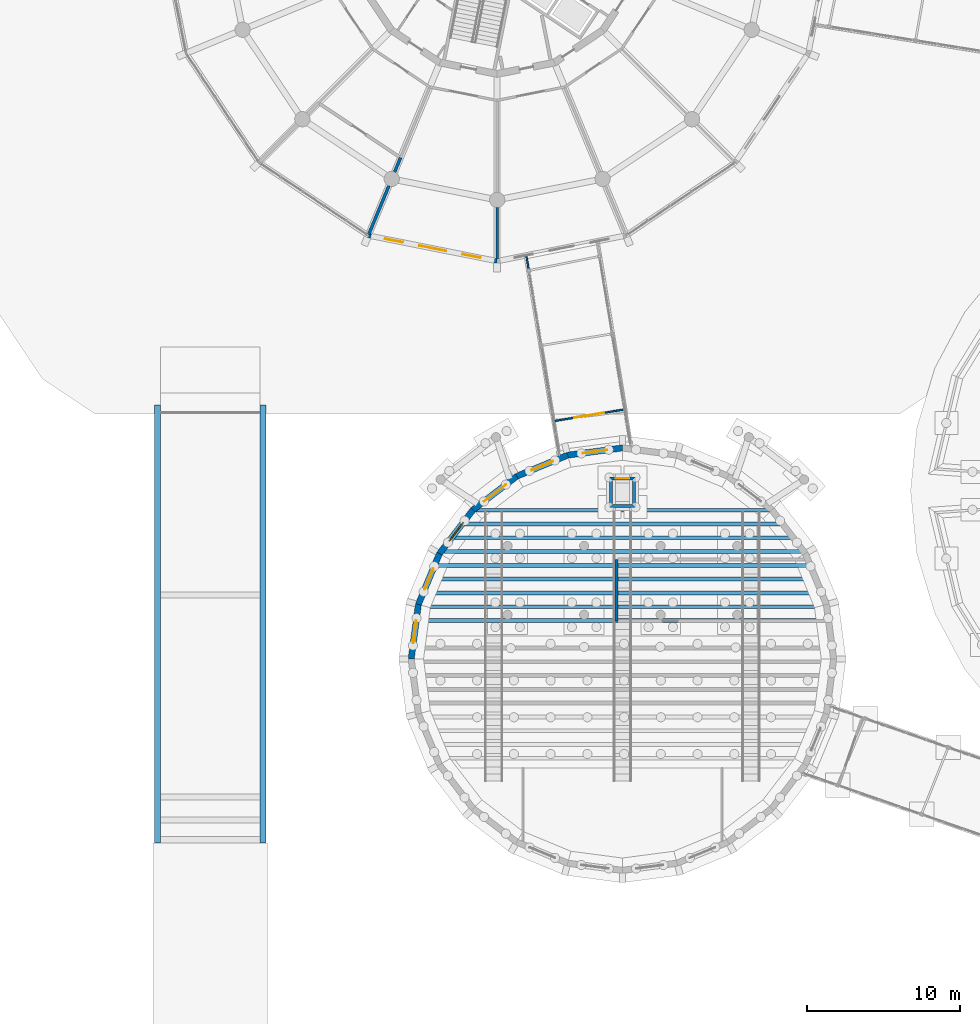
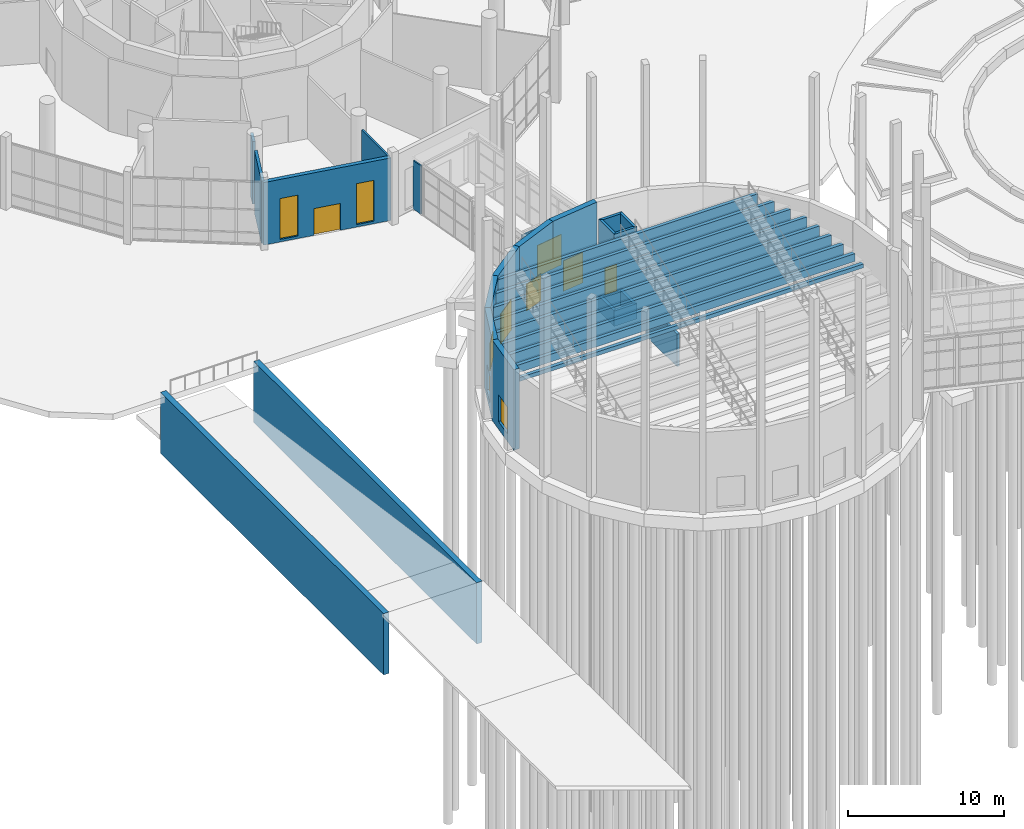
# One storey, part 161 of 226: 32 walls, 6 windows, 5 doors, 11 openings.
"""IFC4 building model written with IfcOpenShell, lengths in metres."""

from ifc_helpers import new_model, si_unit, direction, frame, frame_2d, origin, place, context, subcontext, project, spatial, polyline, rectangle, outline, extrude, material, layer, layer_set, type_object, element, fill, save


model = new_model("IFC4")

# Units and contexts
model_context = context("Model", 3, precision=1e-05, world=origin(), true_north=direction((0.0, 1.0)))
body_context = subcontext(model_context, "Body", "Model", "MODEL_VIEW")
ifc_project = project(units=[si_unit("LENGTHUNIT", "METRE"), si_unit("AREAUNIT", "SQUARE_METRE"), si_unit("VOLUMEUNIT", "CUBIC_METRE"), si_unit("PLANEANGLEUNIT", "RADIAN"), si_unit("MASSUNIT", "GRAM", prefix="KILO")], contexts=[model_context])

# Site, building, storey
site_placement = place(None, origin())
site = spatial("IfcSite", under=ifc_project, at=site_placement, CompositionType="ELEMENT")
building_placement = place(site_placement, origin())
building = spatial("IfcBuilding", under=site, at=building_placement, Name="Ceibo Conservatory and Research Tower", CompositionType="ELEMENT")
storey_placement = place(building_placement, origin())
storey = spatial("IfcBuildingStorey", under=building, at=storey_placement, Name="L00", CompositionType="ELEMENT", Elevation=0.0)

# Wall, opening, door
ifc_material_1 = material(Name="Aluminium and glass", Category="aluminium")
ifc_layer_1 = layer(ifc_material_1, 0.10009765625)
ifc_layer_set_1 = layer_set([ifc_layer_1], Name="Aluminium and glass")
wall_type_1 = type_object("IfcWallType", Name="Airlock screen wall 100", PredefinedType="PARTITIONING", material=ifc_layer_set_1)
wall_1_placement = place(storey_placement, frame((56.279296875, 88.306640625, 0.0), z_axis=(0.0, 0.0, 1.0), x_axis=(-0.986645220753, -0.162884033485, 0.0)))
wall_1 = element("IfcWall", 1, at=wall_1_placement, inside=storey, type_object=wall_type_1, Name="Airlock screen RT-AUD-AS1", PredefinedType="PARTITIONING", context=body_context, shape_type="SweptSolid", body=[
    extrude(rectangle(XDim=4.60009765625, YDim=0.10009765625, at=frame_2d((2.300048828125, 0.0))), origin(), (0.0, 0.0, 1.0), 3.800048828125),
])
opening_1_placement = place(wall_1_placement, frame((1.300048828125, 0.0, 0.0)))
opening_1 = element("IfcOpeningElement", 2, at=opening_1_placement, cuts=wall_1, Name="Opening RT-AUD-AD1", PredefinedType="OPENING", context=body_context, shape_type="SweptSolid", body=[
    extrude(rectangle(XDim=2.0, YDim=2.39990234375, at=frame_2d((1.0, 1.199951171875))), frame((0.0, 0.06005859375, 0.0), z_axis=(0.0, -1.0, 0.0), x_axis=(1.0, 0.0, 0.0)), (0.0, 0.0, 1.0), 0.1201171875),
])
door_type_1 = type_object("IfcDoorType", Name="Gallery sliding door 2000x2400", OperationType="DOUBLE_DOOR_SLIDING", PredefinedType="DOOR", material=ifc_material_1)
door_1_placement = place(opening_1_placement, origin())
door_1 = element("IfcDoor", 3, at=door_1_placement, inside=storey, type_object=door_type_1, Name="Gallery airlock door RT-AUD-AD1", OperationType="DOUBLE_DOOR_SLIDING", OverallHeight=2.39990234375, OverallWidth=2.0, PredefinedType="DOOR", context=body_context, shape_type="SweptSolid", body=[
    extrude(rectangle(XDim=2.0, YDim=2.39990234375, at=frame_2d((1.0, 1.199951171875))), frame((0.0, 0.02490234375, 0.0), z_axis=(0.0, -1.0, 0.0), x_axis=(1.0, 0.0, 0.0)), (0.0, 0.0, 1.0), 0.050048828125),
])
fill(opening_1, door_1)

# Walls
ifc_material_2 = material(Name="Masonry blockwork", Category="masonry")
ifc_layer_2 = layer(ifc_material_2, 0.199951171875)
ifc_layer_set_2 = layer_set([ifc_layer_2], Name="Masonry blockwork")
wall_type_2 = type_object("IfcWallType", Name="Compartment wall 200 EI 120", PredefinedType="SOLIDWALL", material=ifc_layer_set_2)
wall_2_placement = place(storey_placement, frame((40.924072265625, 102.91748046875, 0.0), z_axis=(0.0, 0.0, 1.0), x_axis=(-0.382654004196, -0.923891721509, 0.0)))
element("IfcWall", 4, at=wall_2_placement, inside=storey, type_object=wall_type_2, Name="Partition 00.037", PredefinedType="SOLIDWALL", context=body_context, shape_type="SweptSolid", body=[
    extrude(rectangle(XDim=3.448486328125, YDim=0.199951171875, at=frame_2d((1.72412109375, 0.0))), origin(), (0.0, 0.0, 1.0), 4.89990234375),
])
wall_3_placement = place(storey_placement, frame((41.685791015625, 104.756103515625, 0.0), z_axis=(0.0, 0.0, 1.0), x_axis=(-0.382572356754, -0.923925533714, 0.0)))
element("IfcWall", 5, at=wall_3_placement, inside=storey, type_object=wall_type_2, Name="Partition 00.038", PredefinedType="SOLIDWALL", context=body_context, shape_type="SweptSolid", body=[
    extrude(rectangle(XDim=1.01025390625, YDim=0.199951171875, at=frame_2d((0.505126953125, 0.0))), origin(), (0.0, 0.0, 1.0), 4.89990234375),
])
wall_4_placement = place(storey_placement, frame((55.800048828125, 74.5, 0.0), z_axis=(0.0, 0.0, 1.0), x_axis=(0.0, 1.0, 0.0)))
element("IfcWall", 6, at=wall_4_placement, inside=storey, type_object=wall_type_2, Name="Plant room wall A03", PredefinedType="SOLIDWALL", context=body_context, shape_type="SweptSolid", body=[
    extrude(rectangle(XDim=4.0, YDim=0.199951171875, at=frame_2d((2.0, 0.0))), origin(), (0.0, 0.0, 1.0), 2.550048828125),
])
ifc_material_3 = material(Name="Plasterboard on metal studs, fire board")
ifc_layer_3 = layer(ifc_material_3, 0.14990234375)
ifc_layer_set_3 = layer_set([ifc_layer_3], Name="Plasterboard on metal studs, fire board")
wall_type_3 = type_object("IfcWallType", Name="Corridor wall 150 EI 60", PredefinedType="PARTITIONING", material=ifc_layer_set_3)
wall_5_placement = place(storey_placement, frame((48.0, 101.510009765625, 0.0), z_axis=(0.0, 0.0, 1.0), x_axis=(0.0, -1.0, 0.0)))
element("IfcWall", 7, at=wall_5_placement, inside=storey, type_object=wall_type_3, Name="Partition 00.039", PredefinedType="PARTITIONING", context=body_context, shape_type="SweptSolid", body=[
    extrude(rectangle(XDim=3.377197265625, YDim=0.14990234375, at=frame_2d((1.6884765625, 0.0))), origin(), (0.0, 0.0, 1.0), 4.89990234375),
])
ifc_layer_4 = layer(ifc_material_1, 0.10009765625)
ifc_layer_set_4 = layer_set([ifc_layer_4], Name="Aluminium and glass")
wall_type_4 = type_object("IfcWallType", Name="Gallery end infill wall 100", PredefinedType="PARTITIONING", material=ifc_layer_set_4)
wall_6_placement = place(storey_placement, frame((49.919677734375, 98.280029296875, 0.0), z_axis=(0.0, 0.0, 1.0), x_axis=(0.163059369281, -0.98661625878, 0.0)))
element("IfcWall", 8, at=wall_6_placement, inside=storey, type_object=wall_type_4, Name="Gallery end infill RT-AUD-CKS0", PredefinedType="PARTITIONING", context=body_context, shape_type="SweptSolid", body=[
    extrude(rectangle(XDim=0.798095703125, YDim=0.10009765625, at=frame_2d((0.39892578125, 0.0))), origin(), (0.0, 0.0, 1.0), 3.800048828125),
])
ifc_layer_5 = layer(ifc_material_2, 0.199951171875)
ifc_layer_set_5 = layer_set([ifc_layer_5], Name="Masonry blockwork")
wall_type_5 = type_object("IfcWallType", Name="Lift shaft wall 200 EI 120", PredefinedType="SOLIDWALL", material=ifc_layer_set_5)
wall_7_placement = place(storey_placement, frame((55.43017578125, 82.0, 0.0), z_axis=(0.0, 0.0, 1.0), x_axis=(1.0, 0.0, 0.0)))
element("IfcWall", 9, at=wall_7_placement, inside=storey, type_object=wall_type_5, Name="Lift shaft wall 1", PredefinedType="SOLIDWALL", context=body_context, shape_type="SweptSolid", body=[
    extrude(outline(polyline([(-0.099853515625, -0.10009765625), (1.599853515625, -0.10009765625), (1.400146484375, 0.10009765625), (0.099853515625, 0.10009765625), (-0.099853515625, -0.10009765625)])), origin(), (0.0, 0.0, 1.0), 6.0),
])
wall_8_placement = place(storey_placement, frame((56.93017578125, 82.0, 0.0), z_axis=(0.0, 0.0, 1.0), x_axis=(0.0, 1.0, 0.0)))
element("IfcWall", 10, at=wall_8_placement, inside=storey, type_object=wall_type_5, Name="Lift shaft wall 2", PredefinedType="SOLIDWALL", context=body_context, shape_type="SweptSolid", body=[
    extrude(outline(polyline([(-0.099853515625, -0.10009765625), (1.89990234375, -0.10009765625), (1.7001953125, 0.10009765625), (0.099853515625, 0.10009765625), (-0.099853515625, -0.10009765625)])), origin(), (0.0, 0.0, 1.0), 6.0),
])

# Wall, opening, door
wall_9_placement = place(storey_placement, frame((56.93017578125, 83.800048828125, 0.0), z_axis=(0.0, 0.0, 1.0), x_axis=(-1.0, 0.0, 0.0)))
wall_9 = element("IfcWall", 11, at=wall_9_placement, inside=storey, type_object=wall_type_5, Name="Lift shaft wall 3", PredefinedType="SOLIDWALL", context=body_context, shape_type="SweptSolid", body=[
    extrude(outline(polyline([(-0.099853515625, -0.10009765625), (1.599853515625, -0.10009765625), (1.400146484375, 0.10009765625), (0.099853515625, 0.10009765625), (-0.099853515625, -0.10009765625)])), origin(), (0.0, 0.0, 1.0), 6.0),
])
opening_2_placement = place(wall_9_placement, frame((0.300048828125, 0.0, 0.0)))
opening_2 = element("IfcOpeningElement", 12, at=opening_2_placement, cuts=wall_9, Name="Opening AUD-LDG", PredefinedType="OPENING", context=body_context, shape_type="SweptSolid", body=[
    extrude(rectangle(XDim=0.89990234375, YDim=2.10009765625, at=frame_2d((0.449951171875, 1.050048828125))), frame((0.0, 0.10986328125, 0.0), z_axis=(0.0, -1.0, 0.0), x_axis=(1.0, 0.0, 0.0)), (0.0, 0.0, 1.0), 0.219970703125),
])
ifc_material_4 = material(Name="Stainless steel AISI 316", Category="steel")
door_type_2 = type_object("IfcDoorType", Name="Lift landing door 900x2100 EI 120", OperationType="DOUBLE_DOOR_SLIDING", PredefinedType="DOOR", material=ifc_material_4)
door_2_placement = place(opening_2_placement, origin())
door_2 = element("IfcDoor", 13, at=door_2_placement, inside=storey, type_object=door_type_2, Name="Lift landing door G", OperationType="DOUBLE_DOOR_SLIDING", OverallHeight=2.10009765625, OverallWidth=0.89990234375, PredefinedType="DOOR", context=body_context, shape_type="SweptSolid", body=[
    extrude(rectangle(XDim=0.89990234375, YDim=2.10009765625, at=frame_2d((0.449951171875, 1.050048828125))), frame((0.0, 0.02490234375, 0.0), z_axis=(0.0, -1.0, 0.0), x_axis=(1.0, 0.0, 0.0)), (0.0, 0.0, 1.0), 0.050048828125),
])
fill(opening_2, door_2)

# Wall
wall_10_placement = place(storey_placement, frame((55.43017578125, 83.800048828125, 0.0), z_axis=(0.0, 0.0, 1.0), x_axis=(0.0, -1.0, 0.0)))
element("IfcWall", 14, at=wall_10_placement, inside=storey, type_object=wall_type_5, Name="Lift shaft wall 4", PredefinedType="SOLIDWALL", context=body_context, shape_type="SweptSolid", body=[
    extrude(outline(polyline([(-0.099853515625, -0.10009765625), (1.89990234375, -0.10009765625), (1.7001953125, 0.10009765625), (0.099853515625, 0.10009765625), (-0.099853515625, -0.10009765625)])), origin(), (0.0, 0.0, 1.0), 6.0),
])

# Wall, opening, door
ifc_material_5 = material(Name="Concrete C40/50", Category="concrete")
ifc_layer_6 = layer(ifc_material_5, 0.39990234375)
ifc_layer_set_6 = layer_set([ifc_layer_6], Name="Concrete C40/50")
wall_type_6 = type_object("IfcWallType", Name="RC drum wall 400 C40", PredefinedType="SOLIDWALL", material=ifc_layer_set_6)
wall_11_placement = place(storey_placement, frame((56.18017578125, 85.79833984375, -0.300048828125), z_axis=(0.0, 0.0, 1.0), x_axis=(-0.991443218791, -0.130538668266, 0.0)))
wall_11 = element("IfcWall", 15, at=wall_11_placement, inside=storey, type_object=wall_type_6, Name="Auditorium wall L00 07", PredefinedType="SOLIDWALL", context=body_context, shape_type="SweptSolid", body=[
    extrude(outline(polyline([(-0.0263671875, -0.199951171875), (3.62841796875, -0.199951171875), (3.57568359375, 0.199951171875), (0.0263671875, 0.199951171875), (-0.0263671875, -0.199951171875)])), origin(), (0.0, 0.0, 1.0), 6.300048828125),
])
opening_3_placement = place(wall_11_placement, frame((1.0009765625, 0.0, 0.300048828125)))
opening_3 = element("IfcOpeningElement", 16, at=opening_3_placement, cuts=wall_11, Name="Opening E00.08", PredefinedType="OPENING", context=body_context, shape_type="SweptSolid", body=[
    extrude(rectangle(XDim=1.60009765625, YDim=2.39990234375, at=frame_2d((0.800048828125, 1.199951171875))), frame((0.0, 0.2099609375, 0.0), z_axis=(0.0, -1.0, 0.0), x_axis=(1.0, 0.0, 0.0)), (0.0, 0.0, 1.0), 0.419921875),
])
door_type_3 = type_object("IfcDoorType", Name="Exterior gallery link double door 1600 x 2400", OperationType="DOUBLE_DOOR_DOUBLE_SWING", PredefinedType="DOOR", material=ifc_material_1)
door_3_placement = place(opening_3_placement, origin())
door_3 = element("IfcDoor", 17, at=door_3_placement, inside=storey, type_object=door_type_3, Name="Gallery Link Door", OperationType="DOUBLE_DOOR_DOUBLE_SWING", OverallHeight=2.39990234375, OverallWidth=1.60009765625, PredefinedType="DOOR", context=body_context, shape_type="SweptSolid", body=[
    extrude(rectangle(XDim=1.60009765625, YDim=2.39990234375, at=frame_2d((0.800048828125, 1.199951171875))), frame((0.0, 0.02490234375, 0.0), z_axis=(0.0, -1.0, 0.0), x_axis=(1.0, 0.0, 0.0)), (0.0, 0.0, 1.0), 0.050048828125),
])
fill(opening_3, door_3)

# Wall, opening, window
wall_12_placement = place(storey_placement, frame((52.60888671875, 85.328125, -0.300048828125), z_axis=(0.0, 0.0, 1.0), x_axis=(-0.923883008779, -0.382675039804, 0.0)))
wall_12 = element("IfcWall", 18, at=wall_12_placement, inside=storey, type_object=wall_type_6, Name="Auditorium wall L00 08", PredefinedType="SOLIDWALL", context=body_context, shape_type="SweptSolid", body=[
    extrude(outline(polyline([(-0.0263671875, -0.199951171875), (3.62841796875, -0.199951171875), (3.57568359375, 0.199951171875), (0.0263671875, 0.199951171875), (-0.0263671875, -0.199951171875)])), origin(), (0.0, 0.0, 1.0), 6.300048828125),
])
opening_4_placement = place(wall_12_placement, frame((1.051025390625, 0.0, 0.60009765625)))
opening_4 = element("IfcOpeningElement", 19, at=opening_4_placement, cuts=wall_12, Name="Opening FW3", PredefinedType="OPENING", context=body_context, shape_type="SweptSolid", body=[
    extrude(rectangle(XDim=1.5, YDim=2.10009765625, at=frame_2d((0.75, 1.050048828125))), frame((0.0, 0.2099609375, 0.0), z_axis=(0.0, -1.0, 0.0), x_axis=(1.0, 0.0, 0.0)), (0.0, 0.0, 1.0), 0.419921875),
])
ifc_material_6 = material(Name="Aluminium frame with double glazing", Category="aluminium")
window_type_1 = type_object("IfcWindowType", Name="Foyer window FW3 1500 x 2100", PartitioningType="DOUBLE_PANEL_VERTICAL", PredefinedType="WINDOW", material=ifc_material_6)
window_1_placement = place(opening_4_placement, origin())
window_1 = element("IfcWindow", 20, at=window_1_placement, inside=storey, type_object=window_type_1, Name="AUD.WIN.L00.F08", OverallHeight=2.10009765625, OverallWidth=1.5, PartitioningType="DOUBLE_PANEL_VERTICAL", PredefinedType="WINDOW", context=body_context, shape_type="SweptSolid", body=[
    extrude(rectangle(XDim=1.5, YDim=2.10009765625, at=frame_2d((0.75, 1.050048828125))), frame((0.0, 0.030029296875, 0.0), z_axis=(0.0, -1.0, 0.0), x_axis=(1.0, 0.0, 0.0)), (0.0, 0.0, 1.0), 0.06005859375),
])
fill(opening_4, window_1)

# Wall, opening, door
wall_13_placement = place(storey_placement, frame((49.281005859375, 83.94970703125, -0.300048828125), z_axis=(0.0, 0.0, 1.0), x_axis=(-0.793339015417, -0.608780097093, 0.0)))
wall_13 = element("IfcWall", 21, at=wall_13_placement, inside=storey, type_object=wall_type_6, Name="Auditorium wall L00 09", PredefinedType="SOLIDWALL", context=body_context, shape_type="SweptSolid", body=[
    extrude(outline(polyline([(-0.0263671875, -0.199951171875), (3.62841796875, -0.199951171875), (3.57568359375, 0.199951171875), (0.0263671875, 0.199951171875), (-0.0263671875, -0.199951171875)])), origin(), (0.0, 0.0, 1.0), 6.300048828125),
])
opening_5_placement = place(wall_13_placement, frame((0.90087890625, 0.0, 0.300048828125)))
opening_5 = element("IfcOpeningElement", 22, at=opening_5_placement, cuts=wall_13, Name="Opening E00.09", PredefinedType="OPENING", context=body_context, shape_type="SweptSolid", body=[
    extrude(rectangle(XDim=1.800048828125, YDim=2.39990234375, at=frame_2d((0.89990234375, 1.199951171875))), frame((0.0, 0.2099609375, 0.0), z_axis=(0.0, -1.0, 0.0), x_axis=(1.0, 0.0, 0.0)), (0.0, 0.0, 1.0), 0.419921875),
])
ifc_material_7 = material(Name="Galvanised sheet steel DX51D", Category="steel")
door_type_4 = type_object("IfcDoorType", Name="Exterior auditorium exit double door 1800 x 2400", OperationType="DOUBLE_DOOR_SINGLE_SWING", PredefinedType="DOOR", material=ifc_material_7)
door_4_placement = place(opening_5_placement, frame((1.800048828125, 0.0, 0.0), z_axis=(0.0, 0.0, 1.0), x_axis=(-1.0, 0.0, 0.0)))
door_4 = element("IfcDoor", 23, at=door_4_placement, inside=storey, type_object=door_type_4, Name="Auditorium Exit", OperationType="DOUBLE_DOOR_SINGLE_SWING", OverallHeight=2.39990234375, OverallWidth=1.800048828125, PredefinedType="DOOR", context=body_context, shape_type="SweptSolid", body=[
    extrude(rectangle(XDim=1.800048828125, YDim=2.39990234375, at=frame_2d((0.89990234375, 1.199951171875))), frame((0.0, 0.02490234375, 0.0), z_axis=(0.0, -1.0, 0.0), x_axis=(1.0, 0.0, 0.0)), (0.0, 0.0, 1.0), 0.050048828125),
])
fill(opening_5, door_4)

# Wall, opening, window
wall_14_placement = place(storey_placement, frame((46.42333984375, 81.7568359375, -0.300048828125), z_axis=(0.0, 0.0, 1.0), x_axis=(-0.608780097093, -0.793339015417, 0.0)))
wall_14 = element("IfcWall", 24, at=wall_14_placement, inside=storey, type_object=wall_type_6, Name="Auditorium wall L00 10", PredefinedType="SOLIDWALL", context=body_context, shape_type="SweptSolid", body=[
    extrude(outline(polyline([(-0.0263671875, -0.199951171875), (3.62841796875, -0.199951171875), (3.57568359375, 0.199951171875), (0.0263671875, 0.199951171875), (-0.0263671875, -0.199951171875)])), origin(), (0.0, 0.0, 1.0), 6.300048828125),
])
opening_6_placement = place(wall_14_placement, frame((1.051025390625, 0.0, 0.60009765625)))
opening_6 = element("IfcOpeningElement", 25, at=opening_6_placement, cuts=wall_14, Name="Opening FW3", PredefinedType="OPENING", context=body_context, shape_type="SweptSolid", body=[
    extrude(rectangle(XDim=1.5, YDim=2.10009765625, at=frame_2d((0.75, 1.050048828125))), frame((0.0, 0.2099609375, 0.0), z_axis=(0.0, -1.0, 0.0), x_axis=(1.0, 0.0, 0.0)), (0.0, 0.0, 1.0), 0.419921875),
])
window_2_placement = place(opening_6_placement, origin())
window_2 = element("IfcWindow", 26, at=window_2_placement, inside=storey, type_object=window_type_1, Name="AUD.WIN.L00.F10", OverallHeight=2.10009765625, OverallWidth=1.5, PartitioningType="DOUBLE_PANEL_VERTICAL", PredefinedType="WINDOW", context=body_context, shape_type="SweptSolid", body=[
    extrude(rectangle(XDim=1.5, YDim=2.10009765625, at=frame_2d((0.75, 1.050048828125))), frame((0.0, 0.030029296875, 0.0), z_axis=(0.0, -1.0, 0.0), x_axis=(1.0, 0.0, 0.0)), (0.0, 0.0, 1.0), 0.06005859375),
])
fill(opening_6, window_2)

wall_15_placement = place(storey_placement, frame((44.23046875, 78.899169921875, -0.300048828125), z_axis=(0.0, 0.0, 1.0), x_axis=(-0.382675039804, -0.923883008779, 0.0)))
wall_15 = element("IfcWall", 27, at=wall_15_placement, inside=storey, type_object=wall_type_6, Name="Auditorium wall L00 11", PredefinedType="SOLIDWALL", context=body_context, shape_type="SweptSolid", body=[
    extrude(outline(polyline([(-0.0263671875, -0.199951171875), (3.62841796875, -0.199951171875), (3.57568359375, 0.199951171875), (0.0263671875, 0.199951171875), (-0.0263671875, -0.199951171875)])), origin(), (0.0, 0.0, 1.0), 6.300048828125),
])
opening_7_placement = place(wall_15_placement, frame((1.051025390625, 0.0, 0.60009765625)))
opening_7 = element("IfcOpeningElement", 28, at=opening_7_placement, cuts=wall_15, Name="Opening FW3", PredefinedType="OPENING", context=body_context, shape_type="SweptSolid", body=[
    extrude(rectangle(XDim=1.5, YDim=2.10009765625, at=frame_2d((0.75, 1.050048828125))), frame((0.0, 0.2099609375, 0.0), z_axis=(0.0, -1.0, 0.0), x_axis=(1.0, 0.0, 0.0)), (0.0, 0.0, 1.0), 0.419921875),
])
window_3_placement = place(opening_7_placement, origin())
window_3 = element("IfcWindow", 29, at=window_3_placement, inside=storey, type_object=window_type_1, Name="AUD.WIN.L00.F11", OverallHeight=2.10009765625, OverallWidth=1.5, PartitioningType="DOUBLE_PANEL_VERTICAL", PredefinedType="WINDOW", context=body_context, shape_type="SweptSolid", body=[
    extrude(rectangle(XDim=1.5, YDim=2.10009765625, at=frame_2d((0.75, 1.050048828125))), frame((0.0, 0.030029296875, 0.0), z_axis=(0.0, -1.0, 0.0), x_axis=(1.0, 0.0, 0.0)), (0.0, 0.0, 1.0), 0.06005859375),
])
fill(opening_7, window_3)

wall_16_placement = place(storey_placement, frame((42.85205078125, 75.5712890625, -0.300048828125), z_axis=(0.0, 0.0, 1.0), x_axis=(-0.130538668266, -0.991443218791, 0.0)))
wall_16 = element("IfcWall", 30, at=wall_16_placement, inside=storey, type_object=wall_type_6, Name="Auditorium wall L00 12", PredefinedType="SOLIDWALL", context=body_context, shape_type="SweptSolid", body=[
    extrude(outline(polyline([(-0.0263671875, -0.199951171875), (3.62841796875, -0.199951171875), (3.57568359375, 0.199951171875), (0.0263671875, 0.199951171875), (-0.0263671875, -0.199951171875)])), origin(), (0.0, 0.0, 1.0), 6.300048828125),
])
opening_8_placement = place(wall_16_placement, frame((1.051025390625, 0.0, 0.60009765625)))
opening_8 = element("IfcOpeningElement", 31, at=opening_8_placement, cuts=wall_16, Name="Opening FW3", PredefinedType="OPENING", context=body_context, shape_type="SweptSolid", body=[
    extrude(rectangle(XDim=1.5, YDim=2.10009765625, at=frame_2d((0.75, 1.050048828125))), frame((0.0, 0.2099609375, 0.0), z_axis=(0.0, -1.0, 0.0), x_axis=(1.0, 0.0, 0.0)), (0.0, 0.0, 1.0), 0.419921875),
])
window_4_placement = place(opening_8_placement, origin())
window_4 = element("IfcWindow", 32, at=window_4_placement, inside=storey, type_object=window_type_1, Name="AUD.WIN.L00.F12", OverallHeight=2.10009765625, OverallWidth=1.5, PartitioningType="DOUBLE_PANEL_VERTICAL", PredefinedType="WINDOW", context=body_context, shape_type="SweptSolid", body=[
    extrude(rectangle(XDim=1.5, YDim=2.10009765625, at=frame_2d((0.75, 1.050048828125))), frame((0.0, 0.030029296875, 0.0), z_axis=(0.0, -1.0, 0.0), x_axis=(1.0, 0.0, 0.0)), (0.0, 0.0, 1.0), 0.06005859375),
])
fill(opening_8, window_4)

# Walls
ifc_material_8 = material(Name="Concrete C35/45", Category="concrete")
ifc_layer_7 = layer(ifc_material_8, 0.199951171875)
ifc_layer_set_7 = layer_set([ifc_layer_7], Name="Concrete C35/45")
wall_type_7 = type_object("IfcWallType", Name="RC lift pit wall 200", PredefinedType="SOLIDWALL", material=ifc_layer_set_7)
wall_17_placement = place(storey_placement, frame((55.43017578125, 82.0, -1.199951171875), z_axis=(0.0, 0.0, 1.0), x_axis=(1.0, 0.0, 0.0)))
element("IfcWall", 33, at=wall_17_placement, inside=storey, type_object=wall_type_7, Name="Lift pit wall 1", PredefinedType="SOLIDWALL", context=body_context, shape_type="SweptSolid", body=[
    extrude(outline(polyline([(-0.099853515625, -0.10009765625), (1.599853515625, -0.10009765625), (1.400146484375, 0.10009765625), (0.099853515625, 0.10009765625), (-0.099853515625, -0.10009765625)])), origin(), (0.0, 0.0, 1.0), 1.199951171875),
])
wall_18_placement = place(storey_placement, frame((56.93017578125, 82.0, -1.199951171875), z_axis=(0.0, 0.0, 1.0), x_axis=(0.0, 1.0, 0.0)))
element("IfcWall", 34, at=wall_18_placement, inside=storey, type_object=wall_type_7, Name="Lift pit wall 2", PredefinedType="SOLIDWALL", context=body_context, shape_type="SweptSolid", body=[
    extrude(outline(polyline([(-0.099853515625, -0.10009765625), (1.89990234375, -0.10009765625), (1.7001953125, 0.10009765625), (0.099853515625, 0.10009765625), (-0.099853515625, -0.10009765625)])), origin(), (0.0, 0.0, 1.0), 1.199951171875),
])
wall_19_placement = place(storey_placement, frame((56.93017578125, 83.800048828125, -1.199951171875), z_axis=(0.0, 0.0, 1.0), x_axis=(-1.0, 0.0, 0.0)))
element("IfcWall", 35, at=wall_19_placement, inside=storey, type_object=wall_type_7, Name="Lift pit wall 3", PredefinedType="SOLIDWALL", context=body_context, shape_type="SweptSolid", body=[
    extrude(outline(polyline([(-0.099853515625, -0.10009765625), (1.599853515625, -0.10009765625), (1.400146484375, 0.10009765625), (0.099853515625, 0.10009765625), (-0.099853515625, -0.10009765625)])), origin(), (0.0, 0.0, 1.0), 1.199951171875),
])
wall_20_placement = place(storey_placement, frame((55.43017578125, 83.800048828125, -1.199951171875), z_axis=(0.0, 0.0, 1.0), x_axis=(0.0, -1.0, 0.0)))
element("IfcWall", 36, at=wall_20_placement, inside=storey, type_object=wall_type_7, Name="Lift pit wall 4", PredefinedType="SOLIDWALL", context=body_context, shape_type="SweptSolid", body=[
    extrude(outline(polyline([(-0.099853515625, -0.10009765625), (1.89990234375, -0.10009765625), (1.7001953125, 0.10009765625), (0.099853515625, 0.10009765625), (-0.099853515625, -0.10009765625)])), origin(), (0.0, 0.0, 1.0), 1.199951171875),
])
ifc_layer_8 = layer(ifc_material_5, 0.39990234375)
ifc_layer_set_8 = layer_set([ifc_layer_8], Name="Concrete C40/50")
wall_type_8 = type_object("IfcWallType", Name="RC ramp side wall 400 C40", PredefinedType="SOLIDWALL", material=ifc_layer_set_8)
for number, where, z_axis, x_axis, name in (
    (37, (25.800048828125, 60.0, -4.800048828125), (0.0, 0.0, 1.0), (0.0, 1.0, 0.0), "Ramp side wall W"),
    (38, (32.699951171875, 60.0, -4.800048828125), (0.0, 0.0, 1.0), (0.0, 1.0, 0.0), "Ramp side wall E"),
):
    element("IfcWall", number, at=place(storey_placement, frame(where, z_axis=z_axis, x_axis=x_axis)), inside=storey, type_object=wall_type_8, Name=name, PredefinedType="SOLIDWALL", context=body_context, shape_type="SweptSolid", body=[
        extrude(rectangle(XDim=28.60009765625, YDim=0.39990234375, at=frame_2d((14.300048828125, 0.0))), origin(), (0.0, 0.0, 1.0), 4.800048828125),
    ])
ifc_layer_9 = layer(ifc_material_8, 0.25)
ifc_layer_set_9 = layer_set([ifc_layer_9], Name="Concrete C35/45")
wall_type_9 = type_object("IfcWallType", Name="RC riser wall 250 C35", PredefinedType="SOLIDWALL", material=ifc_layer_set_9)
wall_21_placement = place(storey_placement, frame((42.89990234375, 74.528564453125, 3.0), z_axis=(0.0, 0.0, 1.0), x_axis=(1.0, 0.0, 0.0)))
element("IfcWall", 39, at=wall_21_placement, inside=storey, type_object=wall_type_9, Name="Riser wall R11", PredefinedType="SOLIDWALL", context=body_context, shape_type="SweptSolid", body=[
    extrude(rectangle(XDim=26.560302734375, YDim=0.25, at=frame_2d((13.2802734375, 0.0))), origin(), (0.0, 0.0, 1.0), 0.300048828125),
])
wall_22_placement = place(storey_placement, frame((43.0185546875, 75.428466796875, 3.0), z_axis=(0.0, 0.0, 1.0), x_axis=(1.0, 0.0, 0.0)))
element("IfcWall", 40, at=wall_22_placement, inside=storey, type_object=wall_type_9, Name="Riser wall R12", PredefinedType="SOLIDWALL", context=body_context, shape_type="SweptSolid", body=[
    extrude(rectangle(XDim=26.3232421875, YDim=0.25, at=frame_2d((13.16162109375, 0.0))), origin(), (0.0, 0.0, 1.0), 0.60009765625),
])
wall_23_placement = place(storey_placement, frame((43.330322265625, 76.328369140625, 3.0), z_axis=(0.0, 0.0, 1.0), x_axis=(1.0, 0.0, 0.0)))
element("IfcWall", 41, at=wall_23_placement, inside=storey, type_object=wall_type_9, Name="Riser wall R13", PredefinedType="SOLIDWALL", context=body_context, shape_type="SweptSolid", body=[
    extrude(rectangle(XDim=25.699462890625, YDim=0.25, at=frame_2d((12.849609375, 0.0))), origin(), (0.0, 0.0, 1.0), 0.89990234375),
])
wall_24_placement = place(storey_placement, frame((43.703125, 77.228515625, 3.0), z_axis=(0.0, 0.0, 1.0), x_axis=(1.0, 0.0, 0.0)))
element("IfcWall", 42, at=wall_24_placement, inside=storey, type_object=wall_type_9, Name="Riser wall R14", PredefinedType="SOLIDWALL", context=body_context, shape_type="SweptSolid", body=[
    extrude(rectangle(XDim=24.953857421875, YDim=0.25, at=frame_2d((12.47705078125, 0.0))), origin(), (0.0, 0.0, 1.0), 1.199951171875),
])
wall_25_placement = place(storey_placement, frame((44.075927734375, 78.12841796875, 3.0), z_axis=(0.0, 0.0, 1.0), x_axis=(1.0, 0.0, 0.0)))
element("IfcWall", 43, at=wall_25_placement, inside=storey, type_object=wall_type_9, Name="Riser wall R15", PredefinedType="SOLIDWALL", context=body_context, shape_type="SweptSolid", body=[
    extrude(rectangle(XDim=24.208251953125, YDim=0.25, at=frame_2d((12.10400390625, 0.0))), origin(), (0.0, 0.0, 1.0), 1.5),
])
wall_26_placement = place(storey_placement, frame((44.48583984375, 79.028564453125, 3.0), z_axis=(0.0, 0.0, 1.0), x_axis=(1.0, 0.0, 0.0)))
element("IfcWall", 44, at=wall_26_placement, inside=storey, type_object=wall_type_9, Name="Riser wall R16", PredefinedType="SOLIDWALL", context=body_context, shape_type="SweptSolid", body=[
    extrude(rectangle(XDim=23.388427734375, YDim=0.25, at=frame_2d((11.6943359375, 0.0))), origin(), (0.0, 0.0, 1.0), 1.800048828125),
])
wall_27_placement = place(storey_placement, frame((45.176513671875, 79.928466796875, 3.0), z_axis=(0.0, 0.0, 1.0), x_axis=(1.0, 0.0, 0.0)))
element("IfcWall", 45, at=wall_27_placement, inside=storey, type_object=wall_type_9, Name="Riser wall R17", PredefinedType="SOLIDWALL", context=body_context, shape_type="SweptSolid", body=[
    extrude(rectangle(XDim=22.00732421875, YDim=0.25, at=frame_2d((11.003662109375, 0.0))), origin(), (0.0, 0.0, 1.0), 2.10009765625),
])
wall_28_placement = place(storey_placement, frame((45.866943359375, 80.828369140625, 3.0), z_axis=(0.0, 0.0, 1.0), x_axis=(1.0, 0.0, 0.0)))
element("IfcWall", 46, at=wall_28_placement, inside=storey, type_object=wall_type_9, Name="Riser wall R18", PredefinedType="SOLIDWALL", context=body_context, shape_type="SweptSolid", body=[
    extrude(rectangle(XDim=20.626220703125, YDim=0.25, at=frame_2d((10.31298828125, 0.0))), origin(), (0.0, 0.0, 1.0), 2.39990234375),
])
wall_29_placement = place(storey_placement, frame((46.5576171875, 81.728515625, 3.0), z_axis=(0.0, 0.0, 1.0), x_axis=(1.0, 0.0, 0.0)))
element("IfcWall", 47, at=wall_29_placement, inside=storey, type_object=wall_type_9, Name="Riser wall RG", PredefinedType="SOLIDWALL", context=body_context, shape_type="SweptSolid", body=[
    extrude(rectangle(XDim=19.244873046875, YDim=0.25, at=frame_2d((9.62255859375, 0.0))), origin(), (0.0, 0.0, 1.0), 2.699951171875),
])

# Wall, openings, door, windows
ifc_material_9 = material(Name="Ceramic mosaic tessera")
ifc_layer_10 = layer(ifc_material_9, 0.010009765625, Name="Ceramic mosaic")
ifc_material_10 = material(Name="Polymer-modified bedding mortar")
ifc_layer_11 = layer(ifc_material_10, 0.014892578125, Name="Bedding mortar")
ifc_material_11 = material(Name="Mineral wool insulation")
ifc_layer_12 = layer(ifc_material_11, 0.050048828125, Name="Insulation")
ifc_material_12 = material(Name="Concrete C30/37", Category="concrete")
ifc_layer_13 = layer(ifc_material_12, 0.215087890625, Name="Reinforced concrete leaf")
ifc_material_13 = material(Name="Gypsum plaster")
ifc_layer_14 = layer(ifc_material_13, 0.010009765625, Name="Internal plaster")
ifc_layer_set_10 = layer_set([ifc_layer_10, ifc_layer_11, ifc_layer_12, ifc_layer_13, ifc_layer_14], Name="Concrete C30/37")
wall_type_10 = type_object("IfcWallType", Name="Stair discharge wall 300", PredefinedType="SOLIDWALL", material=ifc_layer_set_10)
wall_30_placement = place(storey_placement, frame((39.5810546875, 99.674560546875, 0.0), z_axis=(0.0, 0.0, 1.0), x_axis=(0.980786880766, -0.195082276278, 0.0)))
wall_30 = element("IfcWall", 48, at=wall_30_placement, inside=storey, type_object=wall_type_10, Name="Facade wall L00 facet 12", PredefinedType="SOLIDWALL", context=body_context, shape_type="SweptSolid", body=[
    extrude(outline(polyline([(-0.02978515625, -0.14990234375), (8.61376953125, -0.14990234375), (8.55419921875, 0.14990234375), (0.02978515625, 0.14990234375), (-0.02978515625, -0.14990234375)])), origin(), (0.0, 0.0, 1.0), 4.89990234375),
])
opening_9_placement = place(wall_30_placement, frame((3.39208984375, 0.0, 0.0)))
opening_9 = element("IfcOpeningElement", 49, at=opening_9_placement, cuts=wall_30, Name="Opening E00.03", PredefinedType="OPENING", context=body_context, shape_type="SweptSolid", body=[
    extrude(rectangle(XDim=1.800048828125, YDim=2.10009765625, at=frame_2d((0.89990234375, 1.050048828125))), frame((0.0, 0.159912109375, 0.0), z_axis=(0.0, -1.0, 0.0), x_axis=(1.0, 0.0, 0.0)), (0.0, 0.0, 1.0), 0.320068359375),
])
opening_10_placement = place(wall_30_placement, frame((1.11083984375, 0.0, 0.199951171875)))
opening_10 = element("IfcOpeningElement", 50, at=opening_10_placement, cuts=wall_30, Name="Opening SW4", PredefinedType="OPENING", context=body_context, shape_type="SweptSolid", body=[
    extrude(rectangle(XDim=1.199951171875, YDim=3.199951171875, at=frame_2d((0.60009765625, 1.60009765625))), frame((0.0, 0.159912109375, 0.0), z_axis=(0.0, -1.0, 0.0), x_axis=(1.0, 0.0, 0.0)), (0.0, 0.0, 1.0), 0.320068359375),
])
opening_11_placement = place(wall_30_placement, frame((6.273193359375, 0.0, 0.199951171875)))
opening_11 = element("IfcOpeningElement", 51, at=opening_11_placement, cuts=wall_30, Name="Opening SW4", PredefinedType="OPENING", context=body_context, shape_type="SweptSolid", body=[
    extrude(rectangle(XDim=1.199951171875, YDim=3.199951171875, at=frame_2d((0.60009765625, 1.60009765625))), frame((0.0, 0.159912109375, 0.0), z_axis=(0.0, -1.0, 0.0), x_axis=(1.0, 0.0, 0.0)), (0.0, 0.0, 1.0), 0.320068359375),
])
door_type_5 = type_object("IfcDoorType", Name="Exterior stair exit double door 1800 x 2100", OperationType="DOUBLE_DOOR_SINGLE_SWING", PredefinedType="DOOR", material=ifc_material_7)
door_5_placement = place(opening_9_placement, frame((1.800048828125, 0.0, 0.0), z_axis=(0.0, 0.0, 1.0), x_axis=(-1.0, 0.0, 0.0)))
door_5 = element("IfcDoor", 52, at=door_5_placement, inside=storey, type_object=door_type_5, Name="Stair Exit", OperationType="DOUBLE_DOOR_SINGLE_SWING", OverallHeight=2.10009765625, OverallWidth=1.800048828125, PredefinedType="DOOR", context=body_context, shape_type="SweptSolid", body=[
    extrude(rectangle(XDim=1.800048828125, YDim=2.10009765625, at=frame_2d((0.89990234375, 1.050048828125))), frame((0.0, 0.02490234375, 0.0), z_axis=(0.0, -1.0, 0.0), x_axis=(1.0, 0.0, 0.0)), (0.0, 0.0, 1.0), 0.050048828125),
])
fill(opening_9, door_5)
window_type_2 = type_object("IfcWindowType", Name="Shopfront window SW2 1200 x 3200", PartitioningType="SINGLE_PANEL", PredefinedType="WINDOW", material=ifc_material_6)
window_5_placement = place(opening_10_placement, origin())
window_5 = element("IfcWindow", 53, at=window_5_placement, inside=storey, type_object=window_type_2, Name="T.L00.F11.WIN.1", OverallHeight=3.199951171875, OverallWidth=1.199951171875, PartitioningType="SINGLE_PANEL", PredefinedType="WINDOW", context=body_context, shape_type="SweptSolid", body=[
    extrude(rectangle(XDim=1.199951171875, YDim=3.199951171875, at=frame_2d((0.60009765625, 1.60009765625))), frame((0.0, 0.030029296875, 0.0), z_axis=(0.0, -1.0, 0.0), x_axis=(1.0, 0.0, 0.0)), (0.0, 0.0, 1.0), 0.06005859375),
])
fill(opening_10, window_5)
window_6_placement = place(opening_11_placement, origin())
window_6 = element("IfcWindow", 54, at=window_6_placement, inside=storey, type_object=window_type_2, Name="T.L00.F11.WIN.2", OverallHeight=3.199951171875, OverallWidth=1.199951171875, PartitioningType="SINGLE_PANEL", PredefinedType="WINDOW", context=body_context, shape_type="SweptSolid", body=[
    extrude(rectangle(XDim=1.199951171875, YDim=3.199951171875, at=frame_2d((0.60009765625, 1.60009765625))), frame((0.0, 0.030029296875, 0.0), z_axis=(0.0, -1.0, 0.0), x_axis=(1.0, 0.0, 0.0)), (0.0, 0.0, 1.0), 0.06005859375),
])
fill(opening_11, window_6)

save(model, "model.ifc")
